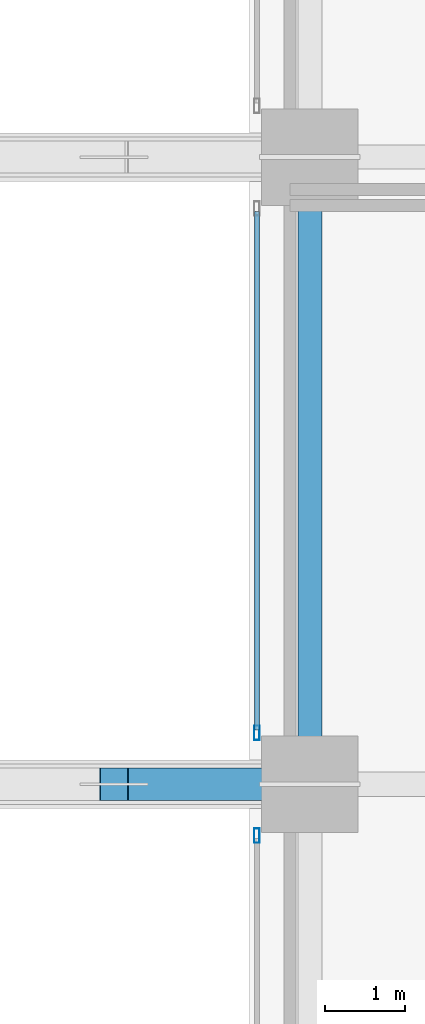
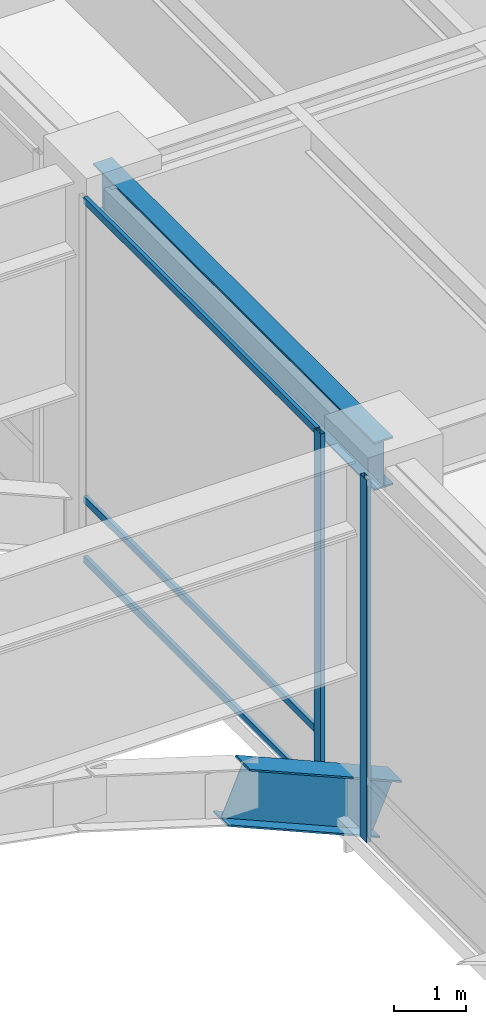
# One storey, part 20 of 50: 5 members, 2 beams, 2 elements without a shape of their own.
"""IFC4 building model written with IfcOpenShell, lengths in metres."""

from ifc_helpers import new_model, si_unit, direction, frame, origin, origin_2d, place, context, subcontext, project, spatial, hollow_rectangle, i_section, extrude, source, transform, mapped, material, layer, layer_set, material_profile, profile_set, type_object, type_shapes, element, aggregate, save


model = new_model("IFC4")

# Units and contexts
model_context = context("Model", 3, precision=1e-05, world=origin(), true_north=direction((0.0, 1.0)))
body_context = subcontext(model_context, "Body", "Model", "MODEL_VIEW")
ifc_project = project(units=[si_unit("LENGTHUNIT", "METRE"), si_unit("AREAUNIT", "SQUARE_METRE"), si_unit("VOLUMEUNIT", "CUBIC_METRE"), si_unit("PLANEANGLEUNIT", "RADIAN"), si_unit("MASSUNIT", "GRAM", prefix="KILO")], contexts=[model_context])

# Site, building, storey
site_placement = place(None, origin())
site = spatial("IfcSite", under=ifc_project, at=site_placement, CompositionType="ELEMENT")
building_placement = place(site_placement, origin())
building = spatial("IfcBuilding", under=site, at=building_placement, Name="Tolvann Quenvar Hotel", CompositionType="ELEMENT")
storey_placement = place(building_placement, frame((0.0, 0.0, 16.0)))
storey = spatial("IfcBuildingStorey", under=building, at=storey_placement, Name="L03", CompositionType="ELEMENT", Elevation=16.0)

# Beams
ifc_material_1 = material(Name="Steel Grade 350", Category="steel")
ifc_material_profile_1 = material_profile(ifc_material_1, i_section(OverallWidth=0.300048828125, OverallDepth=0.81591796875, WebThickness=0.010009765625, FlangeThickness=0.028076171875, at=origin_2d()), Name="800WB192")
ifc_profile_set_1 = profile_set([ifc_material_profile_1], Name="Steel Grade 350")
beam_type_1 = type_object("IfcBeamType", Name="BM_GIRD_800WB192", PredefinedType="BEAM", material=ifc_profile_set_1)
shared_shape_1 = source(origin(), body_context, "Body", "SweptSolid", [
    extrude(i_section(OverallWidth=0.300048828125, OverallDepth=0.81591796875, WebThickness=0.010009765625, FlangeThickness=0.028076171875, at=origin_2d()), origin(), (0.0, 0.0, 1.0), 7.800048828125),
])
type_shapes(beam_type_1, [shared_shape_1])
beam_1_placement = place(storey_placement, frame((38.25, 8.199951171875, 5.73193359375), z_axis=(0.0, 1.0, 0.0), x_axis=(-1.0, 0.0, 0.0)))
element("IfcBeam", 1, at=beam_1_placement, inside=storey, type_object=beam_type_1, Name="BM-L03-NS-APE-1", PredefinedType="BEAM", context=body_context, shape_type="MappedRepresentation", body=[
    mapped(shared_shape_1, transform((0.0, 0.0, 0.0), x_axis=(1.0, 0.0, 0.0), y_axis=(0.0, 1.0, 0.0), z_axis=(0.0, 0.0, 1.0), scale=1.0)),
])
ifc_material_profile_2 = material_profile(ifc_material_1, i_section(OverallWidth=0.39990234375, OverallDepth=0.916015625, WebThickness=0.011962890625, FlangeThickness=0.028076171875, at=origin_2d()), Name="900WB257")
ifc_profile_set_2 = profile_set([ifc_material_profile_2], Name="Steel Grade 350")
beam_type_2 = type_object("IfcBeamType", Name="BM_ARCH_900WB257", PredefinedType="USERDEFINED", material=ifc_profile_set_2)
shared_shape_2 = source(origin(), body_context, "Body", "SweptSolid", [
    extrude(i_section(OverallWidth=0.39990234375, OverallDepth=0.916015625, WebThickness=0.011962890625, FlangeThickness=0.028076171875, at=origin_2d()), origin(), (0.0, 0.0, 1.0), 2.654052734375),
])
type_shapes(beam_type_2, [shared_shape_2])
beam_2_placement = place(storey_placement, frame((35.8125, 8.199951171875, 1.050048828125), z_axis=(0.918405931002, 0.0, -0.395639413987), x_axis=(0.0, 1.0, 0.0)))
element("IfcBeam", 2, at=beam_2_placement, inside=storey, type_object=beam_type_2, Name="Podium Parabolic Arch Rib F2-S8", ObjectType="ARCH RIB", PredefinedType="USERDEFINED", context=body_context, shape_type="MappedRepresentation", body=[
    mapped(shared_shape_2, transform((0.0, 0.0, 0.0), x_axis=(1.0, 0.0, 0.0), y_axis=(0.0, 1.0, 0.0), z_axis=(0.0, 0.0, 1.0), scale=1.0)),
])

# Curtain wall, member
ifc_material_2 = material(Name="Thermally broken anodised architectural aluminium 6063-T6 and laminated low-E glass", Category="aluminium")
ifc_layer = layer(ifc_material_2, 0.179931640625)
ifc_layer_set = layer_set([ifc_layer], Name="Thermally broken anodised architectural aluminium 6063-T6 and laminated low-E glass")
curtain_wall_type = type_object("IfcCurtainWallType", Name="CW_SYS_ARCH_01", PredefinedType="USERDEFINED", material=ifc_layer_set)
curtain_wall_1_placement = place(storey_placement, origin())
curtain_wall_1 = element("IfcCurtainWall", 3, at=curtain_wall_1_placement, inside=storey, type_object=curtain_wall_type, Name="Curtain Wall CW-ARCH-01 (CWR-L03-E03-S3)", ObjectType="UNITISED CURTAIN WALL", PredefinedType="USERDEFINED")
ifc_material_3 = material(Name="Anodised architectural aluminium 6063-T6 framing", Category="aluminium")
ifc_material_profile_3 = material_profile(ifc_material_3, hollow_rectangle(XDim=0.070068359375, YDim=0.179931640625, WallThickness=0.00390625, at=origin_2d()), Name="180x70x4RHS")
ifc_profile_set_3 = profile_set([ifc_material_profile_3], Name="Anodised architectural aluminium 6063-T6 framing")
member_type_1 = type_object("IfcMemberType", Name="CW_MULL_180x70", PredefinedType="MULLION", material=ifc_profile_set_3)
shared_shape_3 = source(origin(), body_context, "Body", "SweptSolid", [
    extrude(hollow_rectangle(XDim=0.070068359375, YDim=0.179931640625, WallThickness=0.00390625, at=origin_2d()), origin(), (0.0, 0.0, 1.0), 6.139892578125),
])
type_shapes(member_type_1, [shared_shape_3])
member_1_placement = place(storey_placement, frame((37.590087890625, 8.839111328125, 0.0), z_axis=(0.0, 0.0, 1.0), x_axis=(1.0, 0.0, 0.0)))
member_1 = element("IfcMember", 4, at=member_1_placement, type_object=member_type_1, Name="CW-ARCH-01 mullion 2", PredefinedType="MULLION", context=body_context, shape_type="MappedRepresentation", body=[
    mapped(shared_shape_3, transform((0.0, 0.0, 0.0), x_axis=(1.0, 0.0, 0.0), y_axis=(0.0, 1.0, 0.0), z_axis=(0.0, 0.0, 1.0), scale=1.0)),
])

curtain_wall_2_placement = place(storey_placement, origin())
curtain_wall_2 = element("IfcCurtainWall", 5, at=curtain_wall_2_placement, inside=storey, type_object=curtain_wall_type, Name="Curtain Wall CW-ARCH-01 (CWR-L03-E03-S4)", ObjectType="UNITISED CURTAIN WALL", PredefinedType="USERDEFINED")
member_2_placement = place(storey_placement, frame((37.590087890625, 7.56103515625, 0.0), z_axis=(0.0, 0.0, 1.0), x_axis=(1.0, 0.0, 0.0)))
member_2 = element("IfcMember", 6, at=member_2_placement, type_object=member_type_1, Name="CW-ARCH-01 mullion 1", PredefinedType="MULLION", context=body_context, shape_type="MappedRepresentation", body=[
    mapped(shared_shape_3, transform((0.0, 0.0, 0.0), x_axis=(1.0, 0.0, 0.0), y_axis=(0.0, 1.0, 0.0), z_axis=(0.0, 0.0, 1.0), scale=1.0)),
])
aggregate(curtain_wall_2, [member_2])

# Member
ifc_material_profile_4 = material_profile(ifc_material_3, hollow_rectangle(XDim=0.06005859375, YDim=0.1201171875, WallThickness=0.00341796875, at=origin_2d()), Name="120x60x3.5RHS")
ifc_profile_set_4 = profile_set([ifc_material_profile_4], Name="Anodised architectural aluminium 6063-T6 framing")
member_type_2 = type_object("IfcMemberType", Name="CW_TRAN_120x60", PredefinedType="USERDEFINED", material=ifc_profile_set_4)
shared_shape_4 = source(origin(), body_context, "Body", "SweptSolid", [
    extrude(hollow_rectangle(XDim=0.06005859375, YDim=0.1201171875, WallThickness=0.00341796875, at=origin_2d()), origin(), (0.0, 0.0, 1.0), 6.451904296875),
])
type_shapes(member_type_2, [shared_shape_4])
member_3_placement = place(storey_placement, frame((37.590087890625, 15.325927734375, 0.030029296875), z_axis=(0.0, -1.0, 0.0), x_axis=(1.0, 0.0, 0.0)))
member_3 = element("IfcMember", 7, at=member_3_placement, type_object=member_type_2, Name="CW-ARCH-01 transom 1.1", ObjectType="TRANSOM", PredefinedType="USERDEFINED", context=body_context, shape_type="MappedRepresentation", body=[
    mapped(shared_shape_4, transform((0.0, 0.0, 0.0), x_axis=(1.0, 0.0, 0.0), y_axis=(0.0, 1.0, 0.0), z_axis=(0.0, 0.0, 1.0), scale=1.0)),
])

member_4_placement = place(storey_placement, frame((37.590087890625, 15.325927734375, 1.050048828125), z_axis=(0.0, -1.0, 0.0), x_axis=(1.0, 0.0, 0.0)))
member_4 = element("IfcMember", 8, at=member_4_placement, type_object=member_type_2, Name="CW-ARCH-01 transom 1.2", ObjectType="TRANSOM", PredefinedType="USERDEFINED", context=body_context, shape_type="MappedRepresentation", body=[
    mapped(shared_shape_4, transform((0.0, 0.0, 0.0), x_axis=(1.0, 0.0, 0.0), y_axis=(0.0, 1.0, 0.0), z_axis=(0.0, 0.0, 1.0), scale=1.0)),
])

member_5_placement = place(storey_placement, frame((37.590087890625, 15.325927734375, 6.110107421875), z_axis=(0.0, -1.0, 0.0), x_axis=(1.0, 0.0, 0.0)))
member_5 = element("IfcMember", 9, at=member_5_placement, type_object=member_type_2, Name="CW-ARCH-01 transom 1.3", ObjectType="TRANSOM", PredefinedType="USERDEFINED", context=body_context, shape_type="MappedRepresentation", body=[
    mapped(shared_shape_4, transform((0.0, 0.0, 0.0), x_axis=(1.0, 0.0, 0.0), y_axis=(0.0, 1.0, 0.0), z_axis=(0.0, 0.0, 1.0), scale=1.0)),
])

aggregate(curtain_wall_1, [member_1, member_3, member_4, member_5])

save(model, "model.ifc")
